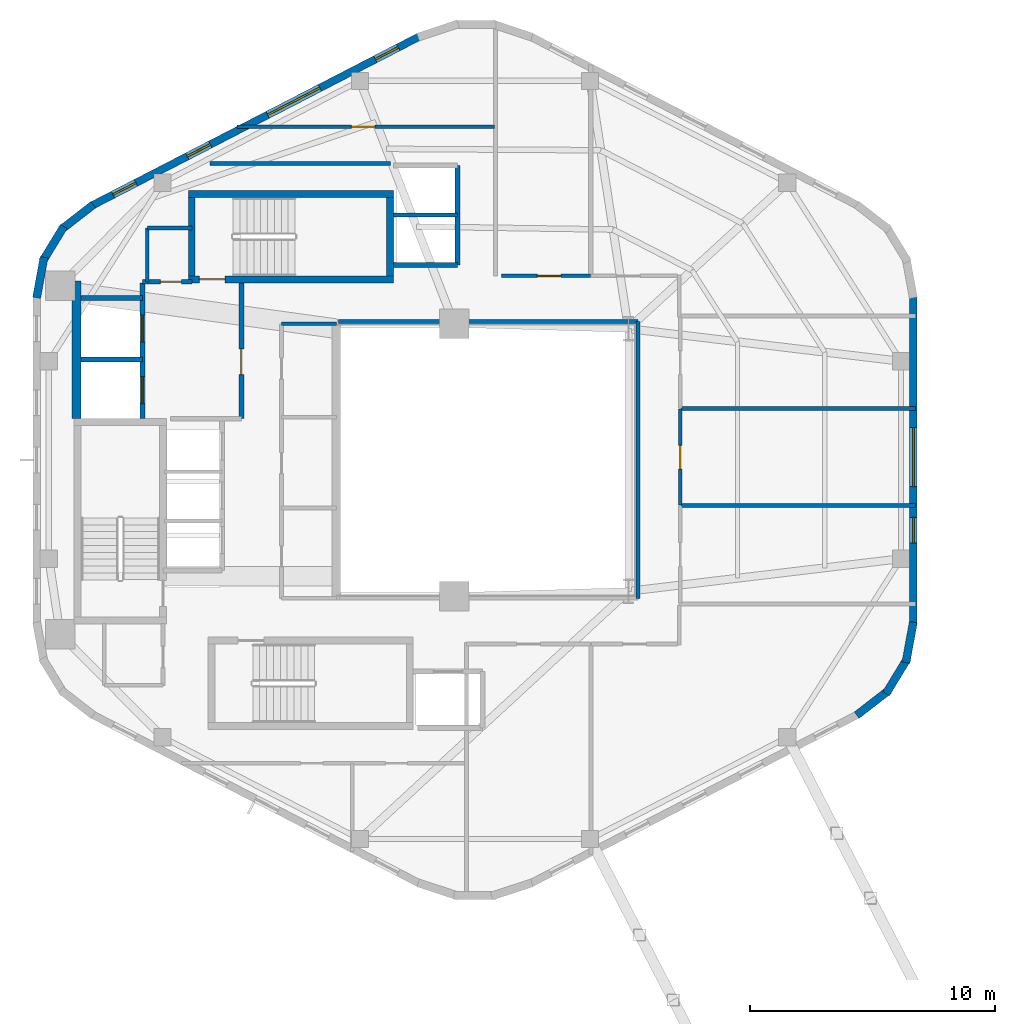
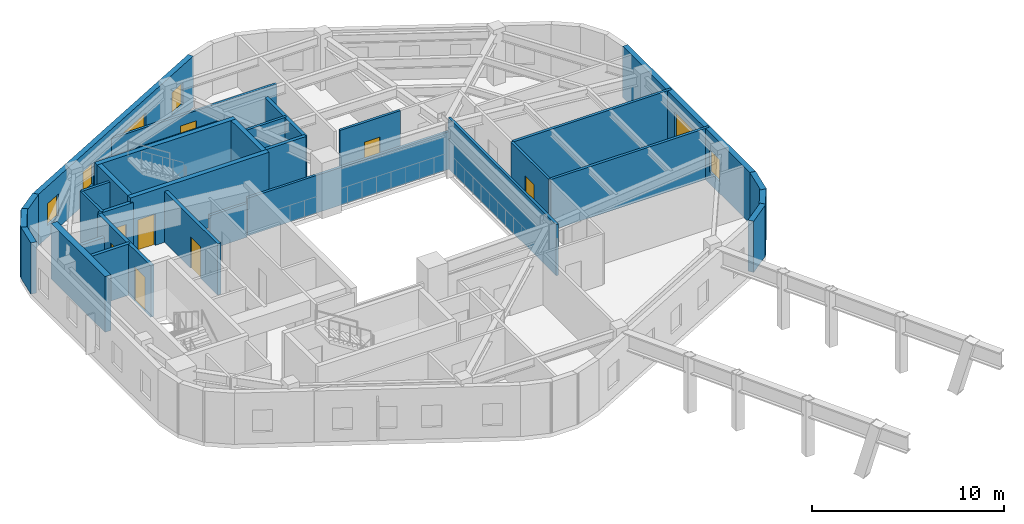
# One storey, part 4 of 6: 32 walls, 8 doors, 6 windows, 14 openings.
"""IFC4 building model written with IfcOpenShell, lengths in metres."""

from ifc_helpers import new_model, si_unit, direction, frame, frame_2d, origin, place, context, subcontext, project, spatial, rectangle, extrude, material, layer, layer_set, type_object, element, fill, save


model = new_model("IFC4")

# Units and contexts
model_context = context("Model", 3, precision=1e-05, world=origin(), true_north=direction((0.0, 1.0)))
body_context = subcontext(model_context, "Body", "Model", "MODEL_VIEW")
ifc_project = project(units=[si_unit("LENGTHUNIT", "METRE"), si_unit("AREAUNIT", "SQUARE_METRE"), si_unit("VOLUMEUNIT", "CUBIC_METRE"), si_unit("PLANEANGLEUNIT", "RADIAN"), si_unit("MASSUNIT", "GRAM", prefix="KILO"), si_unit("THERMODYNAMICTEMPERATUREUNIT", "KELVIN"), si_unit("POWERUNIT", "WATT")], contexts=[model_context])

# Site, building, storey
site_placement = place(None, origin())
site = spatial("IfcSite", under=ifc_project, at=site_placement, CompositionType="ELEMENT")
building_placement = place(site_placement, origin())
building = spatial("IfcBuilding", under=site, at=building_placement, Name="Skarre Station Tower", CompositionType="ELEMENT")
storey_placement = place(building_placement, frame((0.0, 0.0, 231.25)))
storey = spatial("IfcBuildingStorey", under=building, at=storey_placement, Name="L63", CompositionType="ELEMENT", Elevation=231.25)

# Walls
ifc_material_1 = material(Name="Acoustic Steel-Stud Gypsum Partition", Category="steel")
ifc_layer_1 = layer(ifc_material_1, 0.14990234375, Name="Acoustic Steel-Stud Gypsum Partition")
ifc_layer_set_1 = layer_set([ifc_layer_1], Name="Acoustic Steel-Stud Gypsum Partition")
wall_type_1 = type_object("IfcWallType", Name="Fire-Rated Corridor Acoustic Partition 150", PredefinedType="PARTITIONING", material=ifc_layer_set_1)
wall_1_placement = place(storey_placement, frame((27.550048828125, 29.550048828125, 0.0), z_axis=(0.0, 0.0, 1.0), x_axis=(-1.0, 0.0, 0.0)))
element("IfcWall", 1, at=wall_1_placement, inside=storey, type_object=wall_type_1, Name="L63 Interior Partition WL-PT-L63-RC2-N", PredefinedType="PARTITIONING", context=body_context, shape_type="SweptSolid", body=[
    extrude(rectangle(XDim=2.22998046875, YDim=0.14990234375, at=frame_2d((1.114990234375, 0.0))), origin(), (0.0, 0.0, 1.0), 2.159912109375),
])
wall_2_placement = place(storey_placement, frame((19.85009765625, 33.449951171875, 0.0), z_axis=(0.0, 0.0, 1.0), x_axis=(0.0, -1.0, 0.0)))
element("IfcWall", 2, at=wall_2_placement, inside=storey, type_object=wall_type_1, Name="L63 Interior Partition WL-PT-L63-CNW-W", PredefinedType="PARTITIONING", context=body_context, shape_type="SweptSolid", body=[
    extrude(rectangle(XDim=2.18994140625, YDim=0.14990234375, at=frame_2d((1.094970703125, 0.0))), origin(), (0.0, 0.0, 1.0), 3.260009765625),
])
wall_3_placement = place(storey_placement, frame((21.659912109375, 33.449951171875, 0.0), z_axis=(0.0, 0.0, 1.0), x_axis=(-1.0, 0.0, 0.0)))
element("IfcWall", 3, at=wall_3_placement, inside=storey, type_object=wall_type_1, Name="L63 Interior Partition WL-PT-L63-CNW-N1", PredefinedType="PARTITIONING", context=body_context, shape_type="SweptSolid", body=[
    extrude(rectangle(XDim=1.809814453125, YDim=0.14990234375, at=frame_2d((0.90478515625, 0.0))), origin(), (0.0, 0.0, 1.0), 3.260009765625),
])
wall_4_placement = place(storey_placement, frame((39.840087890625, 29.639892578125, 0.0), z_axis=(0.0, 0.0, 1.0), x_axis=(-1.0, 0.0, 0.0)))
element("IfcWall", 4, at=wall_4_placement, inside=storey, type_object=wall_type_1, Name="L63 Interior Partition WL-PT-L63-ATRW-N", PredefinedType="PARTITIONING", context=body_context, shape_type="SweptSolid", body=[
    extrude(rectangle(XDim=12.203125, YDim=0.14990234375, at=frame_2d((6.1015625, 0.0))), origin(), (0.0, 0.0, 1.0), 2.40087890625),
])
wall_5_placement = place(storey_placement, frame((39.840087890625, 18.360107421875, 0.0), z_axis=(0.0, 0.0, 1.0), x_axis=(0.0, 1.0, 0.0)))
element("IfcWall", 5, at=wall_5_placement, inside=storey, type_object=wall_type_1, Name="L63 Interior Partition WL-PT-L63-ATRW-E", PredefinedType="PARTITIONING", context=body_context, shape_type="SweptSolid", body=[
    extrude(rectangle(XDim=11.27978515625, YDim=0.14990234375, at=frame_2d((5.639892578125, 0.0))), origin(), (0.0, 0.0, 1.0), 3.260009765625),
])

# Wall, opening, door
wall_6_placement = place(storey_placement, frame((34.0, 37.580078125, 0.0), z_axis=(0.0, 0.0, 1.0), x_axis=(-1.0, 0.0, 0.0)))
wall_6 = element("IfcWall", 6, at=wall_6_placement, inside=storey, type_object=wall_type_1, Name="L63 Interior Partition WL-PT-L63-NWW1-CW", PredefinedType="PARTITIONING", context=body_context, shape_type="SweptSolid", body=[
    extrude(rectangle(XDim=10.5009765625, YDim=0.14990234375, at=frame_2d((5.25048828125, 0.0))), origin(), (0.0, 0.0, 1.0), 2.652099609375),
])
opening_1_placement = place(wall_6_placement, frame((4.87890625, 0.0, 0.0)))
opening_1 = element("IfcOpeningElement", 7, at=opening_1_placement, cuts=wall_6, Name="Opening DR-FD60", PredefinedType="OPENING", context=body_context, shape_type="SweptSolid", body=[
    extrude(rectangle(XDim=0.9599609375, YDim=2.0, at=frame_2d((0.47998046875, 1.0))), frame((0.0, 0.0849609375, 0.0), z_axis=(0.0, -1.0, 0.0), x_axis=(1.0, 0.0, 0.0)), (0.0, 0.0, 1.0), 0.169921875),
])
ifc_material_2 = material(Name="Nordic White-Oak Veneer Solid-Core Fire Leaf", Category="wood")
door_type_1 = type_object("IfcDoorType", Name="Corridor Suite Entry Fire Door FD60 960x2150", OperationType="SINGLE_SWING_LEFT", PredefinedType="DOOR", material=ifc_material_2)
door_1_placement = place(opening_1_placement, origin())
door_1 = element("IfcDoor", 8, at=door_1_placement, inside=storey, type_object=door_type_1, Name="L63 NWW1 Entry Door", OperationType="SINGLE_SWING_LEFT", OverallHeight=2.0, OverallWidth=0.9599609375, PredefinedType="DOOR", context=body_context, shape_type="SweptSolid", body=[
    extrude(rectangle(XDim=0.9599609375, YDim=2.0, at=frame_2d((0.47998046875, 1.0))), frame((0.0, 0.02490234375, 0.0), z_axis=(0.0, -1.0, 0.0), x_axis=(1.0, 0.0, 0.0)), (0.0, 0.0, 1.0), 0.050048828125),
])
fill(opening_1, door_1)

wall_7_placement = place(storey_placement, frame((37.912109375, 31.5, 0.0), z_axis=(0.0, 0.0, 1.0), x_axis=(-1.0, 0.0, 0.0)))
wall_7 = element("IfcWall", 9, at=wall_7_placement, inside=storey, type_object=wall_type_1, Name="L63 Interior Partition WL-PT-L63-NW1-CW", PredefinedType="PARTITIONING", context=body_context, shape_type="SweptSolid", body=[
    extrude(rectangle(XDim=3.6220703125, YDim=0.14990234375, at=frame_2d((1.81103515625, 0.0))), origin(), (0.0, 0.0, 1.0), 3.260009765625),
])
opening_2_placement = place(wall_7_placement, frame((1.2119140625, 0.0, 0.0)))
opening_2 = element("IfcOpeningElement", 10, at=opening_2_placement, cuts=wall_7, Name="Opening DR-FD60", PredefinedType="OPENING", context=body_context, shape_type="SweptSolid", body=[
    extrude(rectangle(XDim=0.9599609375, YDim=2.0, at=frame_2d((0.47998046875, 1.0))), frame((0.0, 0.0849609375, 0.0), z_axis=(0.0, -1.0, 0.0), x_axis=(1.0, 0.0, 0.0)), (0.0, 0.0, 1.0), 0.169921875),
])
door_2_placement = place(opening_2_placement, origin())
door_2 = element("IfcDoor", 11, at=door_2_placement, inside=storey, type_object=door_type_1, Name="L63 NW1 Entry Door", OperationType="SINGLE_SWING_LEFT", OverallHeight=2.0, OverallWidth=0.9599609375, PredefinedType="DOOR", context=body_context, shape_type="SweptSolid", body=[
    extrude(rectangle(XDim=0.9599609375, YDim=2.0, at=frame_2d((0.47998046875, 1.0))), frame((0.0, 0.02490234375, 0.0), z_axis=(0.0, -1.0, 0.0), x_axis=(1.0, 0.0, 0.0)), (0.0, 0.0, 1.0), 0.050048828125),
])
fill(opening_2, door_2)

wall_8_placement = place(storey_placement, frame((41.56005859375, 22.156005859375, 0.0), z_axis=(0.0, 0.0, 1.0), x_axis=(0.0, 1.0, 0.0)))
wall_8 = element("IfcWall", 12, at=wall_8_placement, inside=storey, type_object=wall_type_1, Name="L63 Interior Partition WL-PT-L63-EW2-CW", PredefinedType="PARTITIONING", context=body_context, shape_type="SweptSolid", body=[
    extrude(rectangle(XDim=3.9208984375, YDim=0.14990234375, at=frame_2d((1.96044921875, 0.0))), origin(), (0.0, 0.0, 1.0), 3.260009765625),
])
opening_3_placement = place(wall_8_placement, frame((1.48095703125, 0.0, 0.0)))
opening_3 = element("IfcOpeningElement", 13, at=opening_3_placement, cuts=wall_8, Name="Opening DR-FD60", PredefinedType="OPENING", context=body_context, shape_type="SweptSolid", body=[
    extrude(rectangle(XDim=0.9599609375, YDim=2.0, at=frame_2d((0.47998046875, 1.0))), frame((0.0, 0.0849609375, 0.0), z_axis=(0.0, -1.0, 0.0), x_axis=(1.0, 0.0, 0.0)), (0.0, 0.0, 1.0), 0.169921875),
])
door_3_placement = place(opening_3_placement, origin())
door_3 = element("IfcDoor", 14, at=door_3_placement, inside=storey, type_object=door_type_1, Name="L63 EW2 Entry Door", OperationType="SINGLE_SWING_LEFT", OverallHeight=2.0, OverallWidth=0.9599609375, PredefinedType="DOOR", context=body_context, shape_type="SweptSolid", body=[
    extrude(rectangle(XDim=0.9599609375, YDim=2.0, at=frame_2d((0.47998046875, 1.0))), frame((0.0, 0.02490234375, 0.0), z_axis=(0.0, -1.0, 0.0), x_axis=(1.0, 0.0, 0.0)), (0.0, 0.0, 1.0), 0.050048828125),
])
fill(opening_3, door_3)

# Walls
wall_9_placement = place(storey_placement, frame((29.7529296875, 36.080078125, 0.0), z_axis=(0.0, 0.0, 1.0), x_axis=(-1.0, 0.0, 0.0)))
element("IfcWall", 15, at=wall_9_placement, inside=storey, type_object=wall_type_1, Name="L63 Interior Partition WL-PT-L63-CSEAL-1", PredefinedType="PARTITIONING", context=body_context, shape_type="SweptSolid", body=[
    extrude(rectangle(XDim=7.35302734375, YDim=0.14990234375, at=frame_2d((3.676513671875, 0.0))), origin(), (0.0, 0.0, 1.0), 2.652099609375),
])
ifc_material_3 = material(Name="Precast concrete C45/55", Category="concrete")
ifc_layer_2 = layer(ifc_material_3, 0.330078125, Name="Precast concrete C45/55")
ifc_layer_set_2 = layer_set([ifc_layer_2], Name="Precast concrete C45/55")
wall_type_2 = type_object("IfcWallType", Name="Nordic Rounded Corner Precast Wall 330", PredefinedType="STANDARD", material=ifc_layer_set_2)
wall_10_placement = place(storey_placement, frame((15.337890625, 30.60791015625, 0.0), z_axis=(0.0, 0.0, 1.0), x_axis=(0.180832605401, 0.983513888475, 0.0)))
element("IfcWall", 16, at=wall_10_placement, inside=storey, type_object=wall_type_2, Name="L63 Rounded Corner Precast Wall F2-1", PredefinedType="STANDARD", context=body_context, shape_type="SweptSolid", body=[
    extrude(rectangle(XDim=1.6767578125, YDim=0.330078125, at=frame_2d((0.83837890625, 0.0))), origin(), (0.0, 0.0, 1.0), 3.260009765625),
])
wall_11_placement = place(storey_placement, frame((15.573974609375, 32.08203125, 0.0), z_axis=(0.0, 0.0, 1.0), x_axis=(0.520325409202, 0.853968072318, 0.0)))
element("IfcWall", 17, at=wall_11_placement, inside=storey, type_object=wall_type_2, Name="L63 Rounded Corner Precast Wall F2-2", PredefinedType="STANDARD", context=body_context, shape_type="SweptSolid", body=[
    extrude(rectangle(XDim=1.677978515625, YDim=0.330078125, at=frame_2d((0.8388671875, 0.0))), origin(), (0.0, 0.0, 1.0), 3.260009765625),
])
wall_12_placement = place(storey_placement, frame((16.322021484375, 33.375, 0.0), z_axis=(0.0, 0.0, 1.0), x_axis=(0.790691856293, 0.61221433207, 0.0)))
element("IfcWall", 18, at=wall_12_placement, inside=storey, type_object=wall_type_2, Name="L63 Rounded Corner Precast Wall F2-3", PredefinedType="STANDARD", context=body_context, shape_type="SweptSolid", body=[
    extrude(rectangle(XDim=1.67578125, YDim=0.330078125, at=frame_2d((0.837890625, 0.0))), origin(), (0.0, 0.0, 1.0), 3.260009765625),
])
wall_13_placement = place(storey_placement, frame((51.06201171875, 17.39208984375, 0.0), z_axis=(0.0, 0.0, 1.0), x_axis=(-0.180691763044, -0.983539773862, 0.0)))
element("IfcWall", 19, at=wall_13_placement, inside=storey, type_object=wall_type_2, Name="L63 Rounded Corner Precast Wall F5-1", PredefinedType="STANDARD", context=body_context, shape_type="SweptSolid", body=[
    extrude(rectangle(XDim=1.6767578125, YDim=0.330078125, at=frame_2d((0.83837890625, 0.0))), origin(), (0.0, 0.0, 1.0), 3.260009765625),
])
wall_14_placement = place(storey_placement, frame((50.825927734375, 15.91796875, 0.0), z_axis=(0.0, 0.0, 1.0), x_axis=(-0.520325409202, -0.853968072318, 0.0)))
element("IfcWall", 20, at=wall_14_placement, inside=storey, type_object=wall_type_2, Name="L63 Rounded Corner Precast Wall F5-2", PredefinedType="STANDARD", context=body_context, shape_type="SweptSolid", body=[
    extrude(rectangle(XDim=1.677978515625, YDim=0.330078125, at=frame_2d((0.8388671875, 0.0))), origin(), (0.0, 0.0, 1.0), 3.260009765625),
])
wall_15_placement = place(storey_placement, frame((50.077880859375, 14.625, 0.0), z_axis=(0.0, 0.0, 1.0), x_axis=(-0.790691856293, -0.61221433207, 0.0)))
element("IfcWall", 21, at=wall_15_placement, inside=storey, type_object=wall_type_2, Name="L63 Rounded Corner Precast Wall F5-3", PredefinedType="STANDARD", context=body_context, shape_type="SweptSolid", body=[
    extrude(rectangle(XDim=1.67578125, YDim=0.330078125, at=frame_2d((0.837890625, 0.0))), origin(), (0.0, 0.0, 1.0), 3.260009765625),
])

# Wall, openings, windows
ifc_layer_3 = layer(ifc_material_3, 0.31005859375, Name="Precast concrete C45/55")
ifc_layer_set_3 = layer_set([ifc_layer_3], Name="Precast concrete C45/55")
wall_type_3 = type_object("IfcWallType", Name="Nordic Upper-Zone Precast Facet Wall 310", PredefinedType="STANDARD", material=ifc_layer_set_3)
wall_16_placement = place(storey_placement, frame((17.56591796875, 34.35400390625, 0.0), z_axis=(0.0, 0.0, 1.0), x_axis=(0.888581481622, 0.458718814218, 0.0)))
wall_16 = element("IfcWall", 22, at=wall_16_placement, inside=storey, type_object=wall_type_3, Name="L63 Facet 1 Nordic Precast Masonry Wall", PredefinedType="STANDARD", context=body_context, shape_type="SweptSolid", body=[
    extrude(rectangle(XDim=15.076904296875, YDim=0.31005859375, at=frame_2d((7.53857421875, 0.0))), origin(), (0.0, 0.0, 1.0), 3.260009765625),
])
opening_4_placement = place(wall_16_placement, frame((0.998046875, 0.0, 0.75)))
opening_4 = element("IfcOpeningElement", 23, at=opening_4_placement, cuts=wall_16, Name="Opening WN-SLT", PredefinedType="OPENING", context=body_context, shape_type="SweptSolid", body=[
    extrude(rectangle(XDim=1.050048828125, YDim=1.39990234375, at=frame_2d((0.52490234375, 0.699951171875))), frame((0.0, 0.1650390625, 0.0), z_axis=(0.0, -1.0, 0.0), x_axis=(1.0, 0.0, 0.0)), (0.0, 0.0, 1.0), 0.330078125),
])
opening_5_placement = place(wall_16_placement, frame((4.403076171875, 0.0, 0.75)))
opening_5 = element("IfcOpeningElement", 24, at=opening_5_placement, cuts=wall_16, Name="Opening WN-SLT", PredefinedType="OPENING", context=body_context, shape_type="SweptSolid", body=[
    extrude(rectangle(XDim=1.050048828125, YDim=1.39990234375, at=frame_2d((0.52490234375, 0.699951171875))), frame((0.0, 0.1650390625, 0.0), z_axis=(0.0, -1.0, 0.0), x_axis=(1.0, 0.0, 0.0)), (0.0, 0.0, 1.0), 0.330078125),
])
opening_6_placement = place(wall_16_placement, frame((8.0859375, 0.0, 0.75)))
opening_6 = element("IfcOpeningElement", 25, at=opening_6_placement, cuts=wall_16, Name="Opening WN-Z4A", PredefinedType="OPENING", context=body_context, shape_type="SweptSolid", body=[
    extrude(rectangle(XDim=2.39990234375, YDim=1.60009765625, at=frame_2d((1.199951171875, 0.800048828125))), frame((0.0, 0.1650390625, 0.0), z_axis=(0.0, -1.0, 0.0), x_axis=(1.0, 0.0, 0.0)), (0.0, 0.0, 1.0), 0.330078125),
])
opening_7_placement = place(wall_16_placement, frame((13.029052734375, 0.0, 0.75)))
opening_7 = element("IfcOpeningElement", 26, at=opening_7_placement, cuts=wall_16, Name="Opening WN-SLT", PredefinedType="OPENING", context=body_context, shape_type="SweptSolid", body=[
    extrude(rectangle(XDim=1.050048828125, YDim=1.39990234375, at=frame_2d((0.52490234375, 0.699951171875))), frame((0.0, 0.1650390625, 0.0), z_axis=(0.0, -1.0, 0.0), x_axis=(1.0, 0.0, 0.0)), (0.0, 0.0, 1.0), 0.330078125),
])
ifc_material_4 = material(Name="Low-Iron Triple Glazing with Bronze Anodized Frame", Category="glass")
window_type_1 = type_object("IfcWindowType", Name="Nordic Corner Slot Window 1050x1400", PartitioningType="SINGLE_PANEL", PredefinedType="WINDOW", material=ifc_material_4)
window_1_placement = place(opening_4_placement, origin())
window_1 = element("IfcWindow", 27, at=window_1_placement, inside=storey, type_object=window_type_1, Name="L63 Facade Window WL-FAC-L63-F1-1", OverallHeight=1.39990234375, OverallWidth=1.050048828125, PartitioningType="SINGLE_PANEL", PredefinedType="WINDOW", context=body_context, shape_type="SweptSolid", body=[
    extrude(rectangle(XDim=1.050048828125, YDim=1.39990234375, at=frame_2d((0.52490234375, 0.699951171875))), frame((0.0, 0.030029296875, 0.0), z_axis=(0.0, -1.0, 0.0), x_axis=(1.0, 0.0, 0.0)), (0.0, 0.0, 1.0), 0.06005859375),
])
fill(opening_4, window_1)
window_2_placement = place(opening_5_placement, origin())
window_2 = element("IfcWindow", 28, at=window_2_placement, inside=storey, type_object=window_type_1, Name="L63 Facade Window WL-FAC-L63-F1-2", OverallHeight=1.39990234375, OverallWidth=1.050048828125, PartitioningType="SINGLE_PANEL", PredefinedType="WINDOW", context=body_context, shape_type="SweptSolid", body=[
    extrude(rectangle(XDim=1.050048828125, YDim=1.39990234375, at=frame_2d((0.52490234375, 0.699951171875))), frame((0.0, 0.030029296875, 0.0), z_axis=(0.0, -1.0, 0.0), x_axis=(1.0, 0.0, 0.0)), (0.0, 0.0, 1.0), 0.06005859375),
])
fill(opening_5, window_2)
window_3_placement = place(opening_7_placement, origin())
window_3 = element("IfcWindow", 29, at=window_3_placement, inside=storey, type_object=window_type_1, Name="L63 Facade Window WL-FAC-L63-F1-4", OverallHeight=1.39990234375, OverallWidth=1.050048828125, PartitioningType="SINGLE_PANEL", PredefinedType="WINDOW", context=body_context, shape_type="SweptSolid", body=[
    extrude(rectangle(XDim=1.050048828125, YDim=1.39990234375, at=frame_2d((0.52490234375, 0.699951171875))), frame((0.0, 0.030029296875, 0.0), z_axis=(0.0, -1.0, 0.0), x_axis=(1.0, 0.0, 0.0)), (0.0, 0.0, 1.0), 0.06005859375),
])
fill(opening_7, window_3)
window_type_2 = type_object("IfcWindowType", Name="Nordic Crown Panorama Window 2400x1600", PartitioningType="SINGLE_PANEL", PredefinedType="WINDOW", material=ifc_material_4)
window_4_placement = place(opening_6_placement, origin())
window_4 = element("IfcWindow", 30, at=window_4_placement, inside=storey, type_object=window_type_2, Name="L63 Facade Window WL-FAC-L63-F1-3", OverallHeight=1.60009765625, OverallWidth=2.39990234375, PartitioningType="SINGLE_PANEL", PredefinedType="WINDOW", context=body_context, shape_type="SweptSolid", body=[
    extrude(rectangle(XDim=2.39990234375, YDim=1.60009765625, at=frame_2d((1.199951171875, 0.800048828125))), frame((0.0, 0.030029296875, 0.0), z_axis=(0.0, -1.0, 0.0), x_axis=(1.0, 0.0, 0.0)), (0.0, 0.0, 1.0), 0.06005859375),
])
fill(opening_6, window_4)

wall_17_placement = place(storey_placement, frame((51.05810546875, 30.701904296875, 0.0), z_axis=(0.0, 0.0, 1.0), x_axis=(0.0, -1.0, 0.0)))
wall_17 = element("IfcWall", 31, at=wall_17_placement, inside=storey, type_object=wall_type_3, Name="L63 Facet 5 Nordic Precast Masonry Wall", PredefinedType="STANDARD", context=body_context, shape_type="SweptSolid", body=[
    extrude(rectangle(XDim=13.40380859375, YDim=0.31005859375, at=frame_2d((6.701904296875, 0.0))), origin(), (0.0, 0.0, 1.0), 3.260009765625),
])
opening_8_placement = place(wall_17_placement, frame((5.385986328125, 0.0, 0.75)))
opening_8 = element("IfcOpeningElement", 32, at=opening_8_placement, cuts=wall_17, Name="Opening WN-Z4A", PredefinedType="OPENING", context=body_context, shape_type="SweptSolid", body=[
    extrude(rectangle(XDim=2.39990234375, YDim=1.60009765625, at=frame_2d((1.199951171875, 0.800048828125))), frame((0.0, 0.1650390625, 0.0), z_axis=(0.0, -1.0, 0.0), x_axis=(1.0, 0.0, 0.0)), (0.0, 0.0, 1.0), 0.330078125),
])
opening_9_placement = place(wall_17_placement, frame((9.0400390625, 0.0, 0.75)))
opening_9 = element("IfcOpeningElement", 33, at=opening_9_placement, cuts=wall_17, Name="Opening WN-SLT", PredefinedType="OPENING", context=body_context, shape_type="SweptSolid", body=[
    extrude(rectangle(XDim=1.050048828125, YDim=1.39990234375, at=frame_2d((0.52490234375, 0.699951171875))), frame((0.0, 0.1650390625, 0.0), z_axis=(0.0, -1.0, 0.0), x_axis=(1.0, 0.0, 0.0)), (0.0, 0.0, 1.0), 0.330078125),
])
window_5_placement = place(opening_9_placement, origin())
window_5 = element("IfcWindow", 34, at=window_5_placement, inside=storey, type_object=window_type_1, Name="L63 Facade Window WL-FAC-L63-F5-2", OverallHeight=1.39990234375, OverallWidth=1.050048828125, PartitioningType="SINGLE_PANEL", PredefinedType="WINDOW", context=body_context, shape_type="SweptSolid", body=[
    extrude(rectangle(XDim=1.050048828125, YDim=1.39990234375, at=frame_2d((0.52490234375, 0.699951171875))), frame((0.0, 0.030029296875, 0.0), z_axis=(0.0, -1.0, 0.0), x_axis=(1.0, 0.0, 0.0)), (0.0, 0.0, 1.0), 0.06005859375),
])
fill(opening_9, window_5)
window_6_placement = place(opening_8_placement, origin())
window_6 = element("IfcWindow", 35, at=window_6_placement, inside=storey, type_object=window_type_2, Name="L63 Facade Window WL-FAC-L63-F5-1", OverallHeight=1.60009765625, OverallWidth=2.39990234375, PartitioningType="SINGLE_PANEL", PredefinedType="WINDOW", context=body_context, shape_type="SweptSolid", body=[
    extrude(rectangle(XDim=2.39990234375, YDim=1.60009765625, at=frame_2d((1.199951171875, 0.800048828125))), frame((0.0, 0.030029296875, 0.0), z_axis=(0.0, -1.0, 0.0), x_axis=(1.0, 0.0, 0.0)), (0.0, 0.0, 1.0), 0.06005859375),
])
fill(opening_8, window_6)

# Wall, opening, door
ifc_material_5 = material(Name="Concrete C50/60", Category="concrete")
ifc_layer_4 = layer(ifc_material_5, 0.280029296875, Name="Concrete C50/60")
ifc_layer_set_4 = layer_set([ifc_layer_4], Name="Concrete C50/60")
wall_type_4 = type_object("IfcWallType", Name="RC Core Shear Wall 280", PredefinedType="SHEAR", material=ifc_layer_set_4)
wall_18_placement = place(storey_placement, frame((21.52001953125, 31.360107421875, 0.0), z_axis=(0.0, 0.0, 1.0), x_axis=(1.0, 0.0, 0.0)))
wall_18 = element("IfcWall", 36, at=wall_18_placement, inside=storey, type_object=wall_type_4, Name="L63 Stair ST-3 South Shear Wall", PredefinedType="SHEAR", context=body_context, shape_type="SweptSolid", body=[
    extrude(rectangle(XDim=8.35986328125, YDim=0.280029296875, at=frame_2d((4.179931640625, 0.0))), origin(), (0.0, 0.0, 1.0), 3.550048828125),
])
opening_10_placement = place(wall_18_placement, frame((0.449951171875, 0.0, 0.0)))
opening_10 = element("IfcOpeningElement", 37, at=opening_10_placement, cuts=wall_18, Name="Opening DR-FD90", PredefinedType="OPENING", context=body_context, shape_type="SweptSolid", body=[
    extrude(rectangle(XDim=1.050048828125, YDim=2.0, at=frame_2d((0.52490234375, 1.0))), frame((0.0, 0.14990234375, 0.0), z_axis=(0.0, -1.0, 0.0), x_axis=(1.0, 0.0, 0.0)), (0.0, 0.0, 1.0), 0.300048828125),
])
ifc_material_6 = material(Name="Fire-Rated Insulated Steel Frame & Timber Core Leaf", Category="steel")
door_type_2 = type_object("IfcDoorType", Name="Stair & FSAE Lobby Fire Door FD90 1050x2150", OperationType="SINGLE_SWING_RIGHT", PredefinedType="DOOR", material=ifc_material_6)
door_4_placement = place(opening_10_placement, origin())
door_4 = element("IfcDoor", 38, at=door_4_placement, inside=storey, type_object=door_type_2, Name="L63 Stair ST-3 & FSAE Lobby Direct Exit Door", OperationType="SINGLE_SWING_LEFT", OverallHeight=2.0, OverallWidth=1.050048828125, PredefinedType="DOOR", context=body_context, shape_type="SweptSolid", body=[
    extrude(rectangle(XDim=1.050048828125, YDim=2.0, at=frame_2d((0.52490234375, 1.0))), frame((0.0, 0.02490234375, 0.0), z_axis=(0.0, -1.0, 0.0), x_axis=(1.0, 0.0, 0.0)), (0.0, 0.0, 1.0), 0.050048828125),
])
fill(opening_10, door_4)

# Walls
wall_19_placement = place(storey_placement, frame((29.8798828125, 34.840087890625, 0.0), z_axis=(0.0, 0.0, 1.0), x_axis=(-1.0, 0.0, 0.0)))
element("IfcWall", 39, at=wall_19_placement, inside=storey, type_object=wall_type_4, Name="L63 Stair ST-3 North Shear Wall", PredefinedType="SHEAR", context=body_context, shape_type="SweptSolid", body=[
    extrude(rectangle(XDim=8.35986328125, YDim=0.280029296875, at=frame_2d((4.179931640625, 0.0))), origin(), (0.0, 0.0, 1.0), 3.550048828125),
])
for number, where, z_axis, x_axis, name in (
    (40, (21.659912109375, 34.699951171875, 0.0), (0.0, 0.0, 1.0), (0.0, -1.0, 0.0), "L63 Stair ST-3 West Shear Wall"),
    (41, (29.739990234375, 31.5, 0.0), (0.0, 0.0, 1.0), (0.0, 1.0, 0.0), "L63 Stair ST-3 East Shear Wall"),
):
    element("IfcWall", number, at=place(storey_placement, frame(where, z_axis=z_axis, x_axis=x_axis)), inside=storey, type_object=wall_type_4, Name=name, PredefinedType="SHEAR", context=body_context, shape_type="SweptSolid", body=[
        extrude(rectangle(XDim=3.199951171875, YDim=0.280029296875, at=frame_2d((1.60009765625, 0.0))), origin(), (0.0, 0.0, 1.0), 3.550048828125),
    ])
ifc_layer_5 = layer(ifc_material_5, 0.360107421875, Name="Concrete C50/60")
ifc_layer_set_5 = layer_set([ifc_layer_5], Name="Concrete C50/60")
wall_type_5 = type_object("IfcWallType", Name="RC Core Shear Wall 360", PredefinedType="SHEAR", material=ifc_layer_set_5)
wall_20_placement = place(storey_placement, frame((16.969970703125, 25.679931640625, 0.0), z_axis=(0.0, 0.0, 1.0), x_axis=(0.0, 1.0, 0.0)))
element("IfcWall", 42, at=wall_20_placement, inside=storey, type_object=wall_type_5, Name="L63 Core West-North Shear Wall", PredefinedType="SHEAR", context=body_context, shape_type="SweptSolid", body=[
    extrude(rectangle(XDim=5.6201171875, YDim=0.360107421875, at=frame_2d((2.81005859375, 0.0))), origin(), (0.0, 0.0, 1.0), 3.550048828125),
])

# Wall, openings, doors
ifc_material_7 = material(Name="Gypsum Concrete Shaft Assembly C30/37", Category="concrete")
ifc_layer_6 = layer(ifc_material_7, 0.199951171875, Name="Gypsum Concrete Shaft Assembly C30/37")
ifc_layer_set_6 = layer_set([ifc_layer_6], Name="Gypsum Concrete Shaft Assembly C30/37")
wall_type_6 = type_object("IfcWallType", Name="Shaft & Core Fire Partition 200", PredefinedType="PARTITIONING", material=ifc_layer_set_6)
wall_21_placement = place(storey_placement, frame((19.64990234375, 25.679931640625, 0.0), z_axis=(0.0, 0.0, 1.0), x_axis=(0.0, 1.0, 0.0)))
wall_21 = element("IfcWall", 43, at=wall_21_placement, inside=storey, type_object=wall_type_6, Name="L63 Interior Partition WL-PT-L63-FSAE-W", PredefinedType="PARTITIONING", context=body_context, shape_type="SweptSolid", body=[
    extrude(rectangle(XDim=5.5400390625, YDim=0.199951171875, at=frame_2d((2.77001953125, 0.0))), origin(), (0.0, 0.0, 1.0), 3.260009765625),
])
opening_11_placement = place(wall_21_placement, frame((0.6201171875, 0.0, 0.0)))
opening_11 = element("IfcOpeningElement", 44, at=opening_11_placement, cuts=wall_21, Name="Opening LD-FF1", PredefinedType="OPENING", context=body_context, shape_type="SweptSolid", body=[
    extrude(rectangle(XDim=1.10009765625, YDim=2.199951171875, at=frame_2d((0.550048828125, 1.10009765625))), frame((0.0, 0.10986328125, 0.0), z_axis=(0.0, -1.0, 0.0), x_axis=(1.0, 0.0, 0.0)), (0.0, 0.0, 1.0), 0.219970703125),
])
opening_12_placement = place(wall_21_placement, frame((3.1201171875, 0.0, 0.0)))
opening_12 = element("IfcOpeningElement", 45, at=opening_12_placement, cuts=wall_21, Name="Opening LD-FF2", PredefinedType="OPENING", context=body_context, shape_type="SweptSolid", body=[
    extrude(rectangle(XDim=1.10009765625, YDim=2.199951171875, at=frame_2d((0.550048828125, 1.10009765625))), frame((0.0, 0.10986328125, 0.0), z_axis=(0.0, -1.0, 0.0), x_axis=(1.0, 0.0, 0.0)), (0.0, 0.0, 1.0), 0.219970703125),
])
ifc_material_8 = material(Name="Fire-Rated Stainless Steel Grade 316L Sliding Leaves", Category="steel")
door_type_3 = type_object("IfcDoorType", Name="Fire Service Access Elevator Sliding Landing Door 1100x2200", OperationType="SLIDING_TO_LEFT", PredefinedType="DOOR", material=ifc_material_8)
door_5_placement = place(opening_11_placement, origin())
door_5 = element("IfcDoor", 46, at=door_5_placement, inside=storey, type_object=door_type_3, Name="L63 Firefighting Lift LF-FF1 Landing Door", OperationType="SLIDING_TO_LEFT", OverallHeight=2.199951171875, OverallWidth=1.10009765625, PredefinedType="DOOR", context=body_context, shape_type="SweptSolid", body=[
    extrude(rectangle(XDim=1.10009765625, YDim=2.199951171875, at=frame_2d((0.550048828125, 1.10009765625))), frame((0.0, 0.02490234375, 0.0), z_axis=(0.0, -1.0, 0.0), x_axis=(1.0, 0.0, 0.0)), (0.0, 0.0, 1.0), 0.050048828125),
])
fill(opening_11, door_5)
door_6_placement = place(opening_12_placement, origin())
door_6 = element("IfcDoor", 47, at=door_6_placement, inside=storey, type_object=door_type_3, Name="L63 Firefighting Lift LF-FF2 Landing Door", OperationType="SLIDING_TO_LEFT", OverallHeight=2.199951171875, OverallWidth=1.10009765625, PredefinedType="DOOR", context=body_context, shape_type="SweptSolid", body=[
    extrude(rectangle(XDim=1.10009765625, YDim=2.199951171875, at=frame_2d((0.550048828125, 1.10009765625))), frame((0.0, 0.02490234375, 0.0), z_axis=(0.0, -1.0, 0.0), x_axis=(1.0, 0.0, 0.0)), (0.0, 0.0, 1.0), 0.050048828125),
])
fill(opening_12, door_6)

# Wall, opening, door
wall_22_placement = place(storey_placement, frame((23.679931640625, 25.679931640625, 0.0), z_axis=(0.0, 0.0, 1.0), x_axis=(0.0, 1.0, 0.0)))
wall_22 = element("IfcWall", 48, at=wall_22_placement, inside=storey, type_object=wall_type_6, Name="L63 Interior Partition WL-PT-L63-FSAE-E", PredefinedType="PARTITIONING", context=body_context, shape_type="SweptSolid", body=[
    extrude(rectangle(XDim=5.5400390625, YDim=0.199951171875, at=frame_2d((2.77001953125, 0.0))), origin(), (0.0, 0.0, 1.0), 3.260009765625),
])
opening_13_placement = place(wall_22_placement, frame((1.800048828125, 0.0, 0.0)))
opening_13 = element("IfcOpeningElement", 49, at=opening_13_placement, cuts=wall_22, Name="Opening DR-FD90", PredefinedType="OPENING", context=body_context, shape_type="SweptSolid", body=[
    extrude(rectangle(XDim=1.050048828125, YDim=2.0, at=frame_2d((0.52490234375, 1.0))), frame((0.0, 0.10986328125, 0.0), z_axis=(0.0, -1.0, 0.0), x_axis=(1.0, 0.0, 0.0)), (0.0, 0.0, 1.0), 0.219970703125),
])
door_7_placement = place(opening_13_placement, origin())
door_7 = element("IfcDoor", 50, at=door_7_placement, inside=storey, type_object=door_type_2, Name="L63 FSAE Lobby Fire Door", OperationType="SINGLE_SWING_RIGHT", OverallHeight=2.0, OverallWidth=1.050048828125, PredefinedType="DOOR", context=body_context, shape_type="SweptSolid", body=[
    extrude(rectangle(XDim=1.050048828125, YDim=2.0, at=frame_2d((0.52490234375, 1.0))), frame((0.0, 0.02490234375, 0.0), z_axis=(0.0, -1.0, 0.0), x_axis=(1.0, 0.0, 0.0)), (0.0, 0.0, 1.0), 0.050048828125),
])
fill(opening_13, door_7)

wall_23_placement = place(storey_placement, frame((21.659912109375, 31.260009765625, 0.0), z_axis=(0.0, 0.0, 1.0), x_axis=(-1.0, 0.0, 0.0)))
wall_23 = element("IfcWall", 51, at=wall_23_placement, inside=storey, type_object=wall_type_6, Name="L63 Interior Partition WL-PT-L63-FSAE-N", PredefinedType="PARTITIONING", context=body_context, shape_type="SweptSolid", body=[
    extrude(rectangle(XDim=2.010009765625, YDim=0.199951171875, at=frame_2d((1.0048828125, 0.0))), origin(), (0.0, 0.0, 1.0), 3.260009765625),
])
opening_14_placement = place(wall_23_placement, frame((0.419921875, 0.0, 0.0)))
opening_14 = element("IfcOpeningElement", 52, at=opening_14_placement, cuts=wall_23, Name="Opening DR-SVC86", PredefinedType="OPENING", context=body_context, shape_type="SweptSolid", body=[
    extrude(rectangle(XDim=0.860107421875, YDim=2.0, at=frame_2d((0.43017578125, 1.0))), frame((0.0, 0.10986328125, 0.0), z_axis=(0.0, -1.0, 0.0), x_axis=(1.0, 0.0, 0.0)), (0.0, 0.0, 1.0), 0.219970703125),
])
ifc_material_9 = material(Name="Powder-Coated Hollow-Metal Acoustic Fire Leaf", Category="steel")
door_type_4 = type_object("IfcDoorType", Name="Compact Riser Fire Door FD60 860x2100", OperationType="SINGLE_SWING_LEFT", PredefinedType="DOOR", material=ifc_material_9)
door_8_placement = place(opening_14_placement, origin())
door_8 = element("IfcDoor", 53, at=door_8_placement, inside=storey, type_object=door_type_4, Name="L63 Core Service Room Lobby Door", OperationType="SINGLE_SWING_LEFT", OverallHeight=2.0, OverallWidth=0.860107421875, PredefinedType="DOOR", context=body_context, shape_type="SweptSolid", body=[
    extrude(rectangle(XDim=0.860107421875, YDim=2.0, at=frame_2d((0.43017578125, 1.0))), frame((0.0, 0.02490234375, 0.0), z_axis=(0.0, -1.0, 0.0), x_axis=(1.0, 0.0, 0.0)), (0.0, 0.0, 1.0), 0.050048828125),
])
fill(opening_14, door_8)

# Walls
wall_24_placement = place(storey_placement, frame((17.14990234375, 28.10009765625, 0.0), z_axis=(0.0, 0.0, 1.0), x_axis=(1.0, 0.0, 0.0)))
element("IfcWall", 54, at=wall_24_placement, inside=storey, type_object=wall_type_6, Name="L63 Interior Partition WL-PT-L63-FF-DIV", PredefinedType="PARTITIONING", context=body_context, shape_type="SweptSolid", body=[
    extrude(rectangle(XDim=2.5, YDim=0.199951171875, at=frame_2d((1.25, 0.0))), origin(), (0.0, 0.0, 1.0), 3.260009765625),
])
wall_25_placement = place(storey_placement, frame((19.64990234375, 30.60009765625, 0.0), z_axis=(0.0, 0.0, 1.0), x_axis=(-1.0, 0.0, 0.0)))
element("IfcWall", 55, at=wall_25_placement, inside=storey, type_object=wall_type_6, Name="L63 Interior Partition WL-PT-L63-FF-N", PredefinedType="PARTITIONING", context=body_context, shape_type="SweptSolid", body=[
    extrude(rectangle(XDim=2.5, YDim=0.199951171875, at=frame_2d((1.25, 0.0))), origin(), (0.0, 0.0, 1.0), 2.159912109375),
])
wall_26_placement = place(storey_placement, frame((32.47998046875, 31.949951171875, 0.0), z_axis=(0.0, 0.0, 1.0), x_axis=(0.0, 1.0, 0.0)))
element("IfcWall", 56, at=wall_26_placement, inside=storey, type_object=wall_type_6, Name="L63 Interior Partition WL-PT-L63-EX-E", PredefinedType="PARTITIONING", context=body_context, shape_type="SweptSolid", body=[
    extrude(rectangle(XDim=4.050048828125, YDim=0.199951171875, at=frame_2d((2.02490234375, 0.0))), origin(), (0.0, 0.0, 1.0), 3.260009765625),
])
wall_27_placement = place(storey_placement, frame((32.47998046875, 31.949951171875, 0.0), z_axis=(0.0, 0.0, 1.0), x_axis=(-1.0, 0.0, 0.0)))
element("IfcWall", 57, at=wall_27_placement, inside=storey, type_object=wall_type_6, Name="L63 Interior Partition WL-PT-L63-EX-S", PredefinedType="PARTITIONING", context=body_context, shape_type="SweptSolid", body=[
    extrude(rectangle(XDim=2.60009765625, YDim=0.199951171875, at=frame_2d((1.300048828125, 0.0))), origin(), (0.0, 0.0, 1.0), 3.260009765625),
])
wall_28_placement = place(storey_placement, frame((29.875, 33.97998046875, 0.0), z_axis=(0.0, 0.0, 1.0), x_axis=(1.0, 0.0, 0.0)))
element("IfcWall", 58, at=wall_28_placement, inside=storey, type_object=wall_type_6, Name="L63 Interior Partition WL-PT-L63-EX-DIV", PredefinedType="PARTITIONING", context=body_context, shape_type="SweptSolid", body=[
    extrude(rectangle(XDim=2.60498046875, YDim=0.159912109375, at=frame_2d((1.302490234375, 0.0))), origin(), (0.0, 0.0, 1.0), 3.260009765625),
])
ifc_layer_7 = layer(ifc_material_1, 0.1650390625, Name="Acoustic Steel-Stud Gypsum Partition")
ifc_layer_set_7 = layer_set([ifc_layer_7], Name="Acoustic Steel-Stud Gypsum Partition")
wall_type_7 = type_object("IfcWallType", Name="Suite Demising Acoustic Partition 165", PredefinedType="PARTITIONING", material=ifc_layer_set_7)
for number, where, z_axis, x_axis, name in (
    (59, (41.590087890625, 22.137939453125, 0.0), (0.0, 0.0, 1.0), (1.0, 0.0, 0.0), "L63 Interior Partition WL-PT-L63-EW-P1"),
    (60, (41.590087890625, 26.094970703125, 0.0), (0.0, 0.0, 1.0), (1.0, 0.0, 0.0), "L63 Interior Partition WL-PT-L63-EW-P2"),
):
    element("IfcWall", number, at=place(storey_placement, frame(where, z_axis=z_axis, x_axis=x_axis)), inside=storey, type_object=wall_type_7, Name=name, PredefinedType="PARTITIONING", context=body_context, shape_type="SweptSolid", body=[
        extrude(rectangle(XDim=9.552978515625, YDim=0.1650390625, at=frame_2d((4.7763671875, 0.0))), origin(), (0.0, 0.0, 1.0), 3.260009765625),
    ])

save(model, "model.ifc")
